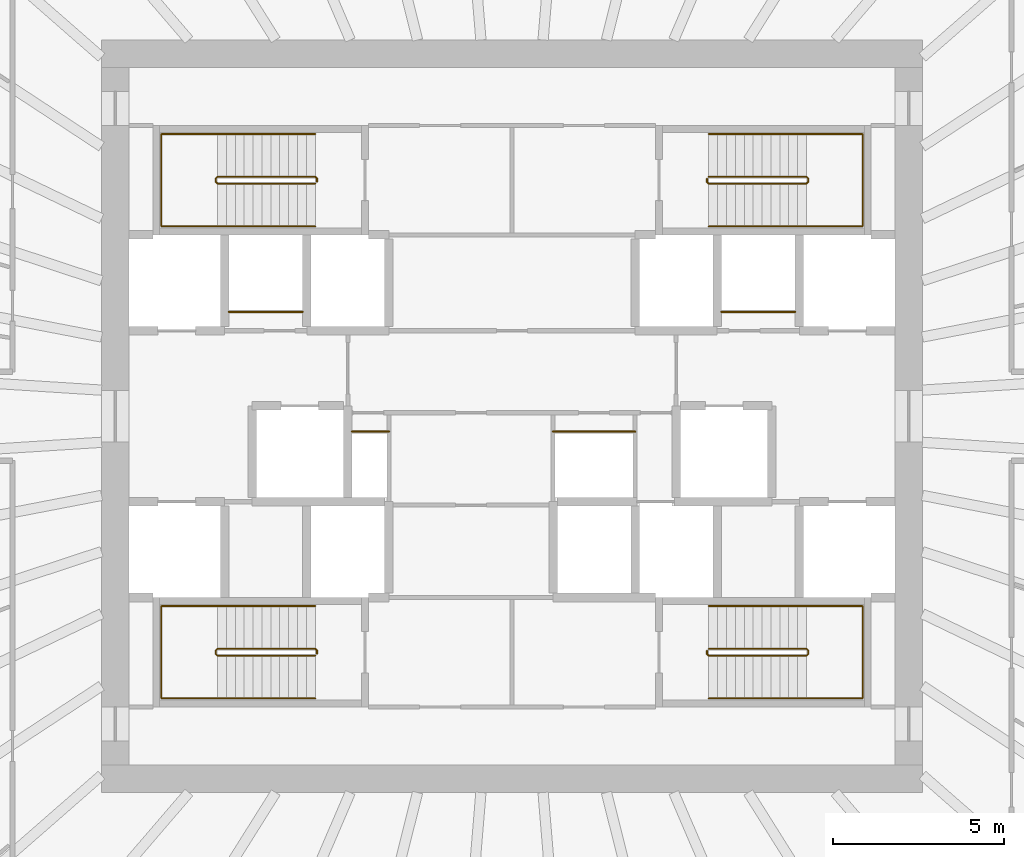
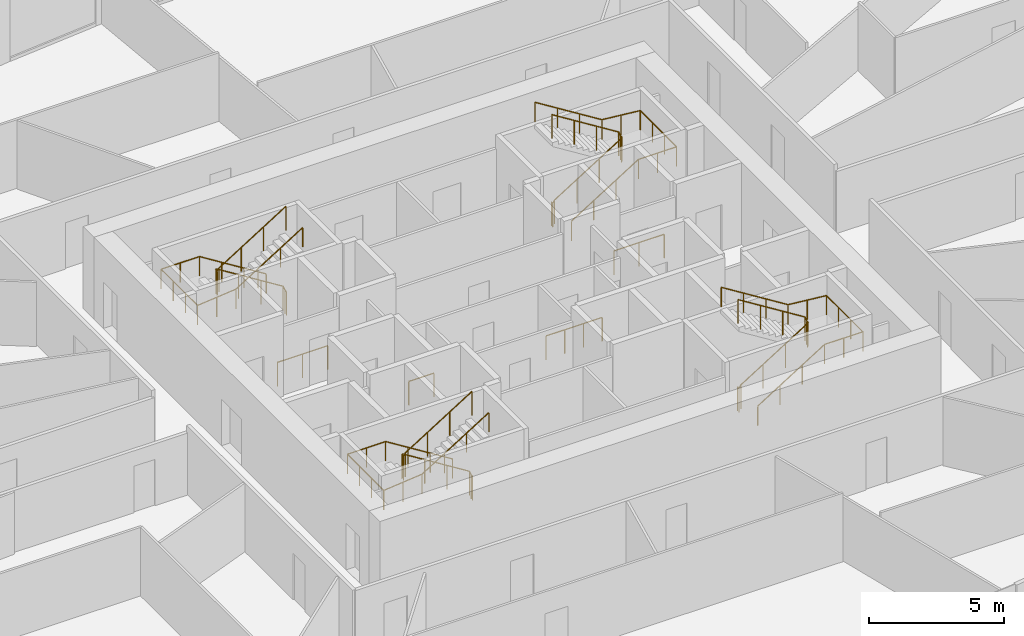
# One storey, part 11 of 11: 12 railings.
"""IFC4 building model written with IfcOpenShell, lengths in metres."""

from ifc_helpers import new_model, si_unit, direction, frame, origin, origin_2d, place, context, subcontext, project, spatial, circle, extrude, source, transform, mapped, material, type_object, element, save


model = new_model("IFC4")

# Units and contexts
model_context = context("Model", 3, precision=1e-05, world=origin(), true_north=direction((0.0, 1.0)))
body_context = subcontext(model_context, "Body", "Model", "MODEL_VIEW")
ifc_project = project(units=[si_unit("LENGTHUNIT", "METRE"), si_unit("AREAUNIT", "SQUARE_METRE"), si_unit("VOLUMEUNIT", "CUBIC_METRE"), si_unit("PLANEANGLEUNIT", "RADIAN"), si_unit("MASSUNIT", "GRAM", prefix="KILO")], contexts=[model_context])

# Site, building, storey
site_placement = place(None, origin())
site = spatial("IfcSite", under=ifc_project, at=site_placement, CompositionType="ELEMENT")
building_placement = place(site_placement, origin())
building = spatial("IfcBuilding", under=site, at=building_placement, Name="Embergate Tower", CompositionType="ELEMENT")
storey_placement = place(building_placement, frame((0.0, 0.0, 203.39990234375)))
storey = spatial("IfcBuildingStorey", under=building, at=storey_placement, Name="L46", CompositionType="ELEMENT", Elevation=203.39990234375)

# Railings
ifc_material_1 = material(Name="Stair guard 1100")
railing_type_1 = type_object("IfcRailingType", Name="Stair guard 1100", PredefinedType="GUARDRAIL", material=ifc_material_1)
shared_shape_1 = source(origin(), body_context, "Body", "SweptSolid", [
    extrude(circle(Radius=0.02392578125, at=origin_2d()), frame((0.0, 0.0, 1.076171875), z_axis=(0.0, 1.0, 0.0), x_axis=(-1.0, 0.0, 0.0)), (0.0, 0.0, 1.0), 0.099853515625),
    extrude(circle(Radius=0.02392578125, at=origin_2d()), frame((0.0, 0.099853515625, 1.076171875), z_axis=(-0.282227285176, 0.282227285176, 0.916894497205), x_axis=(-0.707106781187, -0.707106781187, 0.0)), (0.0, 0.0, 1.0), 0.17724609375),
    extrude(circle(Radius=0.02392578125, at=origin_2d()), frame((-0.050048828125, 0.14990234375, 1.23876953125), z_axis=(-0.847994237388, 0.0, 0.530005446535), x_axis=(0.0, -1.0, 0.0)), (0.0, 0.0, 1.0), 3.372802734375),
    extrude(circle(Radius=0.02392578125, at=origin_2d()), frame((-2.91015625, 0.14990234375, 3.0263671875), z_axis=(-0.705375805398, -0.708833529934, 0.0), x_axis=(0.708833529934, -0.705375805398, 0.0)), (0.0, 0.0, 1.0), 0.070556640625),
    extrude(circle(Radius=0.02392578125, at=origin_2d()), frame((-2.9599609375, 0.099853515625, 3.0263671875), z_axis=(0.0, -1.0, 0.0), x_axis=(1.0, 0.0, 0.0)), (0.0, 0.0, 1.0), 0.099853515625),
    extrude(circle(Radius=0.02392578125, at=origin_2d()), frame((-2.9599609375, 0.0, 3.0263671875), z_axis=(0.281314826061, -0.282693820306, 0.917031173188), x_axis=(0.708833529934, 0.705375805398, 0.0)), (0.0, 0.0, 1.0), 0.177001953125),
    extrude(circle(Radius=0.02392578125, at=origin_2d()), frame((-2.91015625, -0.050048828125, 3.1884765625), z_axis=(0.847994237388, 0.0, 0.530005446535), x_axis=(0.0, 1.0, 0.0)), (0.0, 0.0, 1.0), 3.372802734375),
    extrude(circle(Radius=0.02099609375, at=origin_2d()), origin(), (0.0, 0.0, 1.0), 1.052001953125),
    extrude(circle(Radius=0.02099609375, at=origin_2d()), frame((0.0, 0.099853515625, 0.0)), (0.0, 0.0, 1.0), 1.052001953125),
    extrude(circle(Radius=0.02099609375, at=origin_2d()), frame((-0.050048828125, 0.14990234375, 0.16259765625)), (0.0, 0.0, 1.0), 1.052001953125),
    extrude(circle(Radius=0.02099609375, at=origin_2d()), frame((-1.00341796875, 0.14990234375, 0.758544921875)), (0.0, 0.0, 1.0), 1.052001953125),
    extrude(circle(Radius=0.02099609375, at=origin_2d()), frame((-1.956787109375, 0.14990234375, 1.354248046875)), (0.0, 0.0, 1.0), 1.052001953125),
    extrude(circle(Radius=0.02099609375, at=origin_2d()), frame((-2.91015625, 0.14990234375, 1.9501953125)), (0.0, 0.0, 1.0), 1.052001953125),
    extrude(circle(Radius=0.02099609375, at=origin_2d()), frame((-2.9599609375, 0.099853515625, 1.9501953125)), (0.0, 0.0, 1.0), 1.052001953125),
    extrude(circle(Radius=0.02099609375, at=origin_2d()), frame((-2.9599609375, 0.0, 1.9501953125)), (0.0, 0.0, 1.0), 1.052001953125),
    extrude(circle(Radius=0.02099609375, at=origin_2d()), frame((-2.91015625, -0.050048828125, 2.112548828125)), (0.0, 0.0, 1.0), 1.052001953125),
    extrude(circle(Radius=0.02099609375, at=origin_2d()), frame((-1.956787109375, -0.050048828125, 2.70849609375)), (0.0, 0.0, 1.0), 1.052001953125),
    extrude(circle(Radius=0.02099609375, at=origin_2d()), frame((-1.00341796875, -0.050048828125, 3.30419921875)), (0.0, 0.0, 1.0), 1.052001953125),
    extrude(circle(Radius=0.02099609375, at=origin_2d()), frame((-0.050048828125, -0.050048828125, 3.900146484375)), (0.0, 0.0, 1.0), 1.052001953125),
])
for number, where, name in (
    (1, (-5.699951171875, 6.85009765625, 0.0), "L46 ST1 stair guard 1"),
    (2, (-5.699951171875, -6.949951171875, 0.0), "L46 ST3 stair guard 1"),
):
    element("IfcRailing", number, at=place(storey_placement, frame(where)), inside=storey, type_object=railing_type_1, Name=name, PredefinedType="GUARDRAIL", context=body_context, shape_type="MappedRepresentation", body=[
        mapped(shared_shape_1, transform((0.0, 0.0, 0.0))),
    ])
ifc_material_2 = material(Name="Stair handrail 900")
railing_type_2 = type_object("IfcRailingType", Name="Stair handrail 900", PredefinedType="HANDRAIL", material=ifc_material_2)
shared_shape_2 = source(origin(), body_context, "Body", "SweptSolid", [
    extrude(circle(Radius=0.02392578125, at=origin_2d()), frame((0.0, 0.0, 0.8759765625), z_axis=(-0.847994237388, 0.0, 0.530005446535), x_axis=(0.0, -1.0, 0.0)), (0.0, 0.0, 1.0), 3.372802734375),
    extrude(circle(Radius=0.02392578125, at=origin_2d()), frame((-2.860107421875, 0.0, 2.66357421875), z_axis=(-1.0, 0.0, 0.0), x_axis=(0.0, -1.0, 0.0)), (0.0, 0.0, 1.0), 1.639892578125),
    extrude(circle(Radius=0.02392578125, at=origin_2d()), frame((-4.5, 0.0, 2.66357421875), z_axis=(0.0, -1.0, 0.0), x_axis=(1.0, 0.0, 0.0)), (0.0, 0.0, 1.0), 2.699951171875),
    extrude(circle(Radius=0.02392578125, at=origin_2d()), frame((-4.5, -2.699951171875, 2.66357421875), z_axis=(0.995134983717, 0.0, 0.098520881967), x_axis=(0.0, 1.0, 0.0)), (0.0, 0.0, 1.0), 1.64794921875),
    extrude(circle(Radius=0.02392578125, at=origin_2d()), frame((-2.860107421875, -2.699951171875, 2.82568359375), z_axis=(0.847994237388, 0.0, 0.530005446535), x_axis=(0.0, 1.0, 0.0)), (0.0, 0.0, 1.0), 3.372802734375),
    extrude(circle(Radius=0.02099609375, at=origin_2d()), origin(), (0.0, 0.0, 1.0), 0.851806640625),
    extrude(circle(Radius=0.02099609375, at=origin_2d()), frame((-0.953369140625, 0.0, 0.595947265625)), (0.0, 0.0, 1.0), 0.851806640625),
    extrude(circle(Radius=0.02099609375, at=origin_2d()), frame((-1.90673828125, 0.0, 1.191650390625)), (0.0, 0.0, 1.0), 0.851806640625),
    extrude(circle(Radius=0.02099609375, at=origin_2d()), frame((-2.860107421875, 0.0, 1.78759765625)), (0.0, 0.0, 1.0), 0.851806640625),
    extrude(circle(Radius=0.02099609375, at=origin_2d()), frame((-3.68017578125, 0.0, 1.78759765625)), (0.0, 0.0, 1.0), 0.851806640625),
    extrude(circle(Radius=0.02099609375, at=origin_2d()), frame((-4.5, 0.0, 1.78759765625)), (0.0, 0.0, 1.0), 0.851806640625),
    extrude(circle(Radius=0.02099609375, at=origin_2d()), frame((-4.5, -0.89990234375, 1.78759765625)), (0.0, 0.0, 1.0), 0.851806640625),
    extrude(circle(Radius=0.02099609375, at=origin_2d()), frame((-4.5, -1.800048828125, 1.78759765625)), (0.0, 0.0, 1.0), 0.851806640625),
    extrude(circle(Radius=0.02099609375, at=origin_2d()), frame((-4.5, -2.699951171875, 1.78759765625)), (0.0, 0.0, 1.0), 0.851806640625),
    extrude(circle(Radius=0.02099609375, at=origin_2d()), frame((-3.68017578125, -2.699951171875, 1.86865234375)), (0.0, 0.0, 1.0), 0.851806640625),
    extrude(circle(Radius=0.02099609375, at=origin_2d()), frame((-2.860107421875, -2.699951171875, 1.949951171875)), (0.0, 0.0, 1.0), 0.851806640625),
    extrude(circle(Radius=0.02099609375, at=origin_2d()), frame((-1.90673828125, -2.699951171875, 2.5458984375)), (0.0, 0.0, 1.0), 0.851806640625),
    extrude(circle(Radius=0.02099609375, at=origin_2d()), frame((-0.953369140625, -2.699951171875, 3.1416015625)), (0.0, 0.0, 1.0), 0.851806640625),
    extrude(circle(Radius=0.02099609375, at=origin_2d()), frame((0.0, -2.699951171875, 3.737548828125)), (0.0, 0.0, 1.0), 0.851806640625),
])
for number, where, name in (
    (3, (-5.75, 8.25, 0.16259765625), "L46 ST1 stair handrail 1"),
    (4, (-5.75, -5.550048828125, 0.16259765625), "L46 ST3 stair handrail 1"),
):
    element("IfcRailing", number, at=place(storey_placement, frame(where)), inside=storey, type_object=railing_type_2, Name=name, PredefinedType="HANDRAIL", context=body_context, shape_type="MappedRepresentation", body=[
        mapped(shared_shape_2, transform((0.0, 0.0, 0.0))),
    ])
shared_shape_3 = source(origin(), body_context, "Body", "SweptSolid", [
    extrude(circle(Radius=0.02392578125, at=origin_2d()), frame((0.0, 0.0, 1.076171875), z_axis=(0.0, -1.0, 0.0), x_axis=(1.0, 0.0, 0.0)), (0.0, 0.0, 1.0), 0.099853515625),
    extrude(circle(Radius=0.02392578125, at=origin_2d()), frame((0.0, -0.099853515625, 1.076171875), z_axis=(0.282227285176, -0.282227285176, 0.916894497205), x_axis=(0.707106781187, 0.707106781187, 0.0)), (0.0, 0.0, 1.0), 0.17724609375),
    extrude(circle(Radius=0.02392578125, at=origin_2d()), frame((0.050048828125, -0.14990234375, 1.23876953125), z_axis=(0.847994237388, 0.0, 0.530005446535), x_axis=(0.0, 1.0, 0.0)), (0.0, 0.0, 1.0), 3.372802734375),
    extrude(circle(Radius=0.02392578125, at=origin_2d()), frame((2.91015625, -0.14990234375, 3.0263671875), z_axis=(0.705375805398, 0.708833529934, 0.0), x_axis=(-0.708833529934, 0.705375805398, 0.0)), (0.0, 0.0, 1.0), 0.070556640625),
    extrude(circle(Radius=0.02392578125, at=origin_2d()), frame((2.9599609375, -0.099853515625, 3.0263671875), z_axis=(0.0, 1.0, 0.0), x_axis=(-1.0, 0.0, 0.0)), (0.0, 0.0, 1.0), 0.099853515625),
    extrude(circle(Radius=0.02392578125, at=origin_2d()), frame((2.9599609375, 0.0, 3.0263671875), z_axis=(-0.281314826061, 0.282693820306, 0.917031173188), x_axis=(-0.708833529934, -0.705375805398, 0.0)), (0.0, 0.0, 1.0), 0.177001953125),
    extrude(circle(Radius=0.02392578125, at=origin_2d()), frame((2.91015625, 0.050048828125, 3.1884765625), z_axis=(-0.847994237388, 0.0, 0.530005446535), x_axis=(0.0, -1.0, 0.0)), (0.0, 0.0, 1.0), 3.372802734375),
    extrude(circle(Radius=0.02099609375, at=origin_2d()), origin(), (0.0, 0.0, 1.0), 1.052001953125),
    extrude(circle(Radius=0.02099609375, at=origin_2d()), frame((0.0, -0.099853515625, 0.0)), (0.0, 0.0, 1.0), 1.052001953125),
    extrude(circle(Radius=0.02099609375, at=origin_2d()), frame((0.050048828125, -0.14990234375, 0.16259765625)), (0.0, 0.0, 1.0), 1.052001953125),
    extrude(circle(Radius=0.02099609375, at=origin_2d()), frame((1.00341796875, -0.14990234375, 0.758544921875)), (0.0, 0.0, 1.0), 1.052001953125),
    extrude(circle(Radius=0.02099609375, at=origin_2d()), frame((1.956787109375, -0.14990234375, 1.354248046875)), (0.0, 0.0, 1.0), 1.052001953125),
    extrude(circle(Radius=0.02099609375, at=origin_2d()), frame((2.91015625, -0.14990234375, 1.9501953125)), (0.0, 0.0, 1.0), 1.052001953125),
    extrude(circle(Radius=0.02099609375, at=origin_2d()), frame((2.9599609375, -0.099853515625, 1.9501953125)), (0.0, 0.0, 1.0), 1.052001953125),
    extrude(circle(Radius=0.02099609375, at=origin_2d()), frame((2.9599609375, 0.0, 1.9501953125)), (0.0, 0.0, 1.0), 1.052001953125),
    extrude(circle(Radius=0.02099609375, at=origin_2d()), frame((2.91015625, 0.050048828125, 2.112548828125)), (0.0, 0.0, 1.0), 1.052001953125),
    extrude(circle(Radius=0.02099609375, at=origin_2d()), frame((1.956787109375, 0.050048828125, 2.70849609375)), (0.0, 0.0, 1.0), 1.052001953125),
    extrude(circle(Radius=0.02099609375, at=origin_2d()), frame((1.00341796875, 0.050048828125, 3.30419921875)), (0.0, 0.0, 1.0), 1.052001953125),
    extrude(circle(Radius=0.02099609375, at=origin_2d()), frame((0.050048828125, 0.050048828125, 3.900146484375)), (0.0, 0.0, 1.0), 1.052001953125),
])
for number, where, name in (
    (5, (5.699951171875, 6.949951171875, 0.0), "L46 ST2 stair guard 1"),
    (6, (5.699951171875, -6.85009765625, 0.0), "L46 ST4 stair guard 1"),
):
    element("IfcRailing", number, at=place(storey_placement, frame(where)), inside=storey, type_object=railing_type_1, Name=name, PredefinedType="GUARDRAIL", context=body_context, shape_type="MappedRepresentation", body=[
        mapped(shared_shape_3, transform((0.0, 0.0, 0.0))),
    ])
shared_shape_4 = source(origin(), body_context, "Body", "SweptSolid", [
    extrude(circle(Radius=0.02392578125, at=origin_2d()), frame((0.0, 0.0, 0.8759765625), z_axis=(0.847994237388, 0.0, 0.530005446535), x_axis=(0.0, 1.0, 0.0)), (0.0, 0.0, 1.0), 3.372802734375),
    extrude(circle(Radius=0.02392578125, at=origin_2d()), frame((2.860107421875, 0.0, 2.66357421875), z_axis=(1.0, 0.0, 0.0), x_axis=(0.0, 1.0, 0.0)), (0.0, 0.0, 1.0), 1.639892578125),
    extrude(circle(Radius=0.02392578125, at=origin_2d()), frame((4.5, 0.0, 2.66357421875), z_axis=(0.0, 1.0, 0.0), x_axis=(-1.0, 0.0, 0.0)), (0.0, 0.0, 1.0), 2.699951171875),
    extrude(circle(Radius=0.02392578125, at=origin_2d()), frame((4.5, 2.699951171875, 2.66357421875), z_axis=(-0.995134983717, 0.0, 0.098520881967), x_axis=(0.0, -1.0, 0.0)), (0.0, 0.0, 1.0), 1.64794921875),
    extrude(circle(Radius=0.02392578125, at=origin_2d()), frame((2.860107421875, 2.699951171875, 2.82568359375), z_axis=(-0.847994237388, 0.0, 0.530005446535), x_axis=(0.0, -1.0, 0.0)), (0.0, 0.0, 1.0), 3.372802734375),
    extrude(circle(Radius=0.02099609375, at=origin_2d()), origin(), (0.0, 0.0, 1.0), 0.851806640625),
    extrude(circle(Radius=0.02099609375, at=origin_2d()), frame((0.953369140625, 0.0, 0.595947265625)), (0.0, 0.0, 1.0), 0.851806640625),
    extrude(circle(Radius=0.02099609375, at=origin_2d()), frame((1.90673828125, 0.0, 1.191650390625)), (0.0, 0.0, 1.0), 0.851806640625),
    extrude(circle(Radius=0.02099609375, at=origin_2d()), frame((2.860107421875, 0.0, 1.78759765625)), (0.0, 0.0, 1.0), 0.851806640625),
    extrude(circle(Radius=0.02099609375, at=origin_2d()), frame((3.68017578125, 0.0, 1.78759765625)), (0.0, 0.0, 1.0), 0.851806640625),
    extrude(circle(Radius=0.02099609375, at=origin_2d()), frame((4.5, 0.0, 1.78759765625)), (0.0, 0.0, 1.0), 0.851806640625),
    extrude(circle(Radius=0.02099609375, at=origin_2d()), frame((4.5, 0.89990234375, 1.78759765625)), (0.0, 0.0, 1.0), 0.851806640625),
    extrude(circle(Radius=0.02099609375, at=origin_2d()), frame((4.5, 1.800048828125, 1.78759765625)), (0.0, 0.0, 1.0), 0.851806640625),
    extrude(circle(Radius=0.02099609375, at=origin_2d()), frame((4.5, 2.699951171875, 1.78759765625)), (0.0, 0.0, 1.0), 0.851806640625),
    extrude(circle(Radius=0.02099609375, at=origin_2d()), frame((3.68017578125, 2.699951171875, 1.86865234375)), (0.0, 0.0, 1.0), 0.851806640625),
    extrude(circle(Radius=0.02099609375, at=origin_2d()), frame((2.860107421875, 2.699951171875, 1.949951171875)), (0.0, 0.0, 1.0), 0.851806640625),
    extrude(circle(Radius=0.02099609375, at=origin_2d()), frame((1.90673828125, 2.699951171875, 2.5458984375)), (0.0, 0.0, 1.0), 0.851806640625),
    extrude(circle(Radius=0.02099609375, at=origin_2d()), frame((0.953369140625, 2.699951171875, 3.1416015625)), (0.0, 0.0, 1.0), 0.851806640625),
    extrude(circle(Radius=0.02099609375, at=origin_2d()), frame((0.0, 2.699951171875, 3.737548828125)), (0.0, 0.0, 1.0), 0.851806640625),
])
for number, where, name in (
    (7, (5.75, 5.550048828125, 0.16259765625), "L46 ST2 stair handrail 1"),
    (8, (5.75, -8.25, 0.16259765625), "L46 ST4 stair handrail 1"),
):
    element("IfcRailing", number, at=place(storey_placement, frame(where)), inside=storey, type_object=railing_type_2, Name=name, PredefinedType="HANDRAIL", context=body_context, shape_type="MappedRepresentation", body=[
        mapped(shared_shape_4, transform((0.0, 0.0, 0.0))),
    ])
ifc_material_3 = material(Name="Opening guard 1100")
railing_type_3 = type_object("IfcRailingType", Name="Opening guard 1100", PredefinedType="GUARDRAIL", material=ifc_material_3)
shared_shape_5 = source(origin(), body_context, "Body", "SweptSolid", [
    extrude(circle(Radius=0.02392578125, at=origin_2d()), frame((0.0, 0.0, 1.076171875), z_axis=(1.0, 0.0, 0.0), x_axis=(0.0, 1.0, 0.0)), (0.0, 0.0, 1.0), 2.14990234375),
    extrude(circle(Radius=0.02099609375, at=origin_2d()), origin(), (0.0, 0.0, 1.0), 1.052001953125),
    extrude(circle(Radius=0.02099609375, at=origin_2d()), frame((1.074951171875, 0.0, 0.0)), (0.0, 0.0, 1.0), 1.052001953125),
    extrude(circle(Radius=0.02099609375, at=origin_2d()), frame((2.14990234375, 0.0, 0.0)), (0.0, 0.0, 1.0), 1.052001953125),
])
for number, where, name in (
    (9, (-8.27490234375, 3.050048828125, 0.0), "Riser opening guard"),
    (10, (6.125, 3.050048828125, 0.0), "Riser opening guard"),
):
    element("IfcRailing", number, at=place(storey_placement, frame(where)), inside=storey, type_object=railing_type_3, Name=name, PredefinedType="GUARDRAIL", context=body_context, shape_type="MappedRepresentation", body=[
        mapped(shared_shape_5, transform((0.0, 0.0, 0.0))),
    ])
shared_shape_6 = source(origin(), body_context, "Body", "SweptSolid", [
    extrude(circle(Radius=0.02392578125, at=origin_2d()), frame((0.0, 0.0, 1.076171875), z_axis=(1.0, 0.0, 0.0), x_axis=(0.0, 1.0, 0.0)), (0.0, 0.0, 1.0), 1.074951171875),
    extrude(circle(Radius=0.02099609375, at=origin_2d()), origin(), (0.0, 0.0, 1.0), 1.052001953125),
    extrude(circle(Radius=0.02099609375, at=origin_2d()), frame((1.074951171875, 0.0, 0.0)), (0.0, 0.0, 1.0), 1.052001953125),
])
railing_1_placement = place(storey_placement, frame((-4.675048828125, -0.449951171875, 0.0)))
element("IfcRailing", 11, at=railing_1_placement, inside=storey, type_object=railing_type_3, Name="Riser opening guard", PredefinedType="GUARDRAIL", context=body_context, shape_type="MappedRepresentation", body=[
    mapped(shared_shape_6, transform((0.0, 0.0, 0.0))),
])
shared_shape_7 = source(origin(), body_context, "Body", "SweptSolid", [
    extrude(circle(Radius=0.02392578125, at=origin_2d()), frame((0.0, 0.0, 1.076171875), z_axis=(1.0, 0.0, 0.0), x_axis=(0.0, 1.0, 0.0)), (0.0, 0.0, 1.0), 2.400146484375),
    extrude(circle(Radius=0.02099609375, at=origin_2d()), origin(), (0.0, 0.0, 1.0), 1.052001953125),
    extrude(circle(Radius=0.02099609375, at=origin_2d()), frame((0.800048828125, 0.0, 0.0)), (0.0, 0.0, 1.0), 1.052001953125),
    extrude(circle(Radius=0.02099609375, at=origin_2d()), frame((1.60009765625, 0.0, 0.0)), (0.0, 0.0, 1.0), 1.052001953125),
    extrude(circle(Radius=0.02099609375, at=origin_2d()), frame((2.400146484375, 0.0, 0.0)), (0.0, 0.0, 1.0), 1.052001953125),
])
railing_2_placement = place(storey_placement, frame((1.199951171875, -0.449951171875, 0.0)))
element("IfcRailing", 12, at=railing_2_placement, inside=storey, type_object=railing_type_3, Name="Riser opening guard", PredefinedType="GUARDRAIL", context=body_context, shape_type="MappedRepresentation", body=[
    mapped(shared_shape_7, transform((0.0, 0.0, 0.0))),
])

save(model, "model.ifc")
